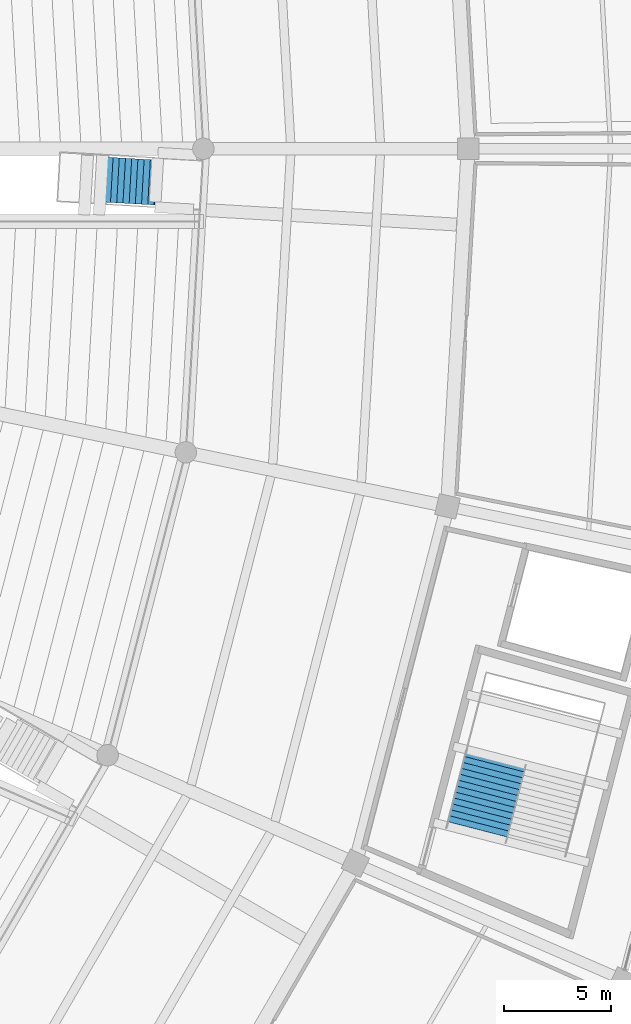
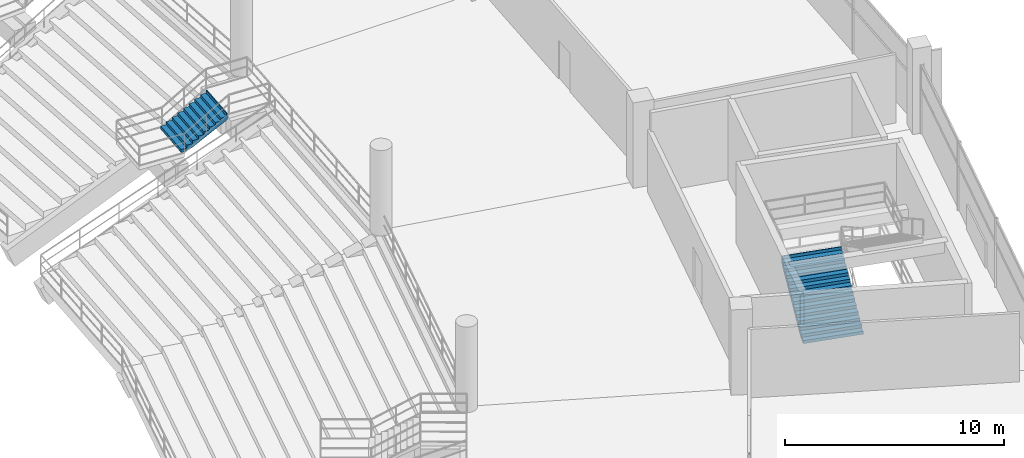
# One storey, part 128 of 156: 2 stair flights, 2 elements without a shape of their own.
"""IFC4 building model written with IfcOpenShell, lengths in metres."""

from ifc_helpers import new_model, si_unit, direction, frame, origin, place, context, subcontext, project, spatial, polygons, material, type_object, element, aggregate, save


model = new_model("IFC4")

# Units and contexts
model_context = context("Model", 3, precision=1e-05, world=origin(), true_north=direction((0.0, 1.0)))
body_context = subcontext(model_context, "Body", "Model", "MODEL_VIEW")
ifc_project = project(units=[si_unit("LENGTHUNIT", "METRE"), si_unit("AREAUNIT", "SQUARE_METRE"), si_unit("VOLUMEUNIT", "CUBIC_METRE"), si_unit("PLANEANGLEUNIT", "RADIAN"), si_unit("MASSUNIT", "GRAM", prefix="KILO")], contexts=[model_context])

# Site, building, storey
site_placement = place(None, origin())
site = spatial("IfcSite", under=ifc_project, at=site_placement, CompositionType="ELEMENT")
building_placement = place(site_placement, origin())
building = spatial("IfcBuilding", under=site, at=building_placement, Name="Kazemori Nagisa Stadium", CompositionType="ELEMENT")
storey_placement = place(building_placement, frame((0.0, 0.0, 5.780029296875)))
storey = spatial("IfcBuildingStorey", under=building, at=storey_placement, Name="L01", CompositionType="ELEMENT", Elevation=5.780029296875)

# Stair, stair flight
ifc_material = material(Name="Concrete C36/45 (Fc36)", Category="concrete")
stair_type_1 = type_object("IfcStairType", Name="Stair_CORE_28", PredefinedType="TWO_STRAIGHT_RUN_STAIR", material=ifc_material)
stair_1_placement = place(storey_placement, origin())
stair_1 = element("IfcStair", 1, at=stair_1_placement, inside=storey, type_object=stair_type_1, Name="Exit stair ST10 L01", PredefinedType="TWO_STRAIGHT_RUN_STAIR")
stair_flight_type_1 = type_object("IfcStairFlightType", Name="Flight_CORE_14", PredefinedType="STRAIGHT", material=ifc_material)
stair_flight_1_placement = place(storey_placement, frame((205.068359375, 69.982666015625, 0.0), z_axis=(0.0, 0.0, 1.0), x_axis=(0.250001576145, 0.968245429592, 0.0)))
stair_flight_1 = element("IfcStairFlight", 2, at=stair_flight_1_placement, type_object=stair_flight_type_1, Name="Exit stair ST10 L01 flight 1", NumberOfRisers=14, NumberOfTreads=13, PredefinedType="STRAIGHT", RiserHeight=0.17, TreadLength=0.285, context=body_context, shape_type="Tessellation", body=[
    polygons([(0.0, -1.425048828125, 0.0), (0.0, -1.425048828125, 0.169921875), (0.284912109375, -1.425048828125, 0.169921875), (0.284912109375, -1.425048828125, 0.340087890625), (0.570068359375, -1.425048828125, 0.340087890625), (0.570068359375, -1.425048828125, 0.510009765625), (0.85498046875, -1.425048828125, 0.510009765625), (0.85498046875, -1.425048828125, 0.679931640625), (1.139892578125, -1.425048828125, 0.679931640625), (1.139892578125, -1.425048828125, 0.85009765625), (1.425048828125, -1.425048828125, 0.85009765625), (1.425048828125, -1.425048828125, 1.02001953125), (1.7099609375, -1.425048828125, 1.02001953125), (1.7099609375, -1.425048828125, 1.18994140625), (1.9951171875, -1.425048828125, 1.18994140625), (1.9951171875, -1.425048828125, 1.360107421875), (2.280029296875, -1.425048828125, 1.360107421875), (2.280029296875, -1.425048828125, 1.530029296875), (2.56494140625, -1.425048828125, 1.530029296875), (2.56494140625, -1.425048828125, 1.699951171875), (2.85009765625, -1.425048828125, 1.699951171875), (2.85009765625, -1.425048828125, 1.8701171875), (3.135009765625, -1.425048828125, 1.8701171875), (3.135009765625, -1.425048828125, 2.0400390625), (3.419921875, -1.425048828125, 2.0400390625), (3.419921875, -1.425048828125, 2.2099609375), (3.705078125, -1.425048828125, 2.2099609375), (3.705078125, -1.425048828125, 2.3798828125), (3.7548828125, -1.425048828125, 2.3798828125), (3.7548828125, -1.425048828125, 2.007080078125), (3.705078125, -1.425048828125, 1.977294921875), (3.419921875, -1.425048828125, 1.80712890625), (3.135009765625, -1.425048828125, 1.63720703125), (2.85009765625, -1.425048828125, 1.46728515625), (2.56494140625, -1.425048828125, 1.297119140625), (2.280029296875, -1.425048828125, 1.127197265625), (1.9951171875, -1.425048828125, 0.957275390625), (1.7099609375, -1.425048828125, 0.787109375), (1.425048828125, -1.425048828125, 0.6171875), (1.139892578125, -1.425048828125, 0.447265625), (0.85498046875, -1.425048828125, 0.277099609375), (0.570068359375, -1.425048828125, 0.107177734375), (0.284912109375, -1.425048828125, 0.0), (0.0, -0.08544921875, 0.0), (0.0, -0.08544921875, 0.169921875), (0.284912109375, -0.08544921875, 0.169921875), (0.284912109375, -0.08544921875, 0.340087890625), (0.570068359375, -0.08544921875, 0.340087890625), (0.570068359375, -0.08544921875, 0.510009765625), (0.85498046875, -0.08544921875, 0.510009765625), (0.85498046875, -0.08544921875, 0.679931640625), (1.139892578125, -0.08544921875, 0.679931640625), (1.139892578125, -0.08544921875, 0.85009765625), (1.425048828125, -0.08544921875, 0.85009765625), (1.425048828125, -0.08544921875, 1.02001953125), (1.7099609375, -0.08544921875, 1.02001953125), (1.7099609375, -0.08544921875, 1.18994140625), (1.9951171875, -0.08544921875, 1.18994140625), (1.9951171875, -0.08544921875, 1.360107421875), (2.280029296875, -0.08544921875, 1.360107421875), (2.280029296875, -0.08544921875, 1.530029296875), (2.56494140625, -0.08544921875, 1.530029296875), (2.56494140625, -0.08544921875, 1.699951171875), (2.85009765625, -0.08544921875, 1.699951171875), (2.85009765625, -0.08544921875, 1.8701171875), (3.135009765625, -0.08544921875, 1.8701171875), (3.135009765625, -0.08544921875, 2.0400390625), (3.419921875, -0.08544921875, 2.0400390625), (3.419921875, -0.08544921875, 2.2099609375), (3.705078125, -0.08544921875, 2.2099609375), (3.705078125, -0.08544921875, 2.3798828125), (3.7548828125, -0.08544921875, 2.3798828125), (3.7548828125, -0.08544921875, 2.007080078125), (3.705078125, -0.08544921875, 1.977294921875), (3.419921875, -0.08544921875, 1.80712890625), (3.135009765625, -0.08544921875, 1.63720703125), (2.85009765625, -0.08544921875, 1.46728515625), (2.56494140625, -0.08544921875, 1.297119140625), (2.280029296875, -0.08544921875, 1.127197265625), (1.9951171875, -0.08544921875, 0.957275390625), (1.7099609375, -0.08544921875, 0.787109375), (1.425048828125, -0.08544921875, 0.6171875), (1.139892578125, -0.08544921875, 0.447265625), (0.85498046875, -0.08544921875, 0.277099609375), (0.570068359375, -0.08544921875, 0.107177734375), (0.284912109375, -0.08544921875, 0.0), (0.0, 0.0, 0.0), (0.0, 0.0, 0.169921875), (0.284912109375, 0.0, 0.169921875), (0.284912109375, 0.0, 0.340087890625), (0.570068359375, 0.0, 0.340087890625), (0.570068359375, 0.0, 0.510009765625), (0.85498046875, 0.0, 0.510009765625), (0.85498046875, 0.0, 0.679931640625), (1.139892578125, 0.0, 0.679931640625), (1.139892578125, 0.0, 0.85009765625), (1.425048828125, 0.0, 0.85009765625), (1.425048828125, 0.0, 1.02001953125), (1.7099609375, 0.0, 1.02001953125), (1.7099609375, 0.0, 1.18994140625), (1.9951171875, 0.0, 1.18994140625), (1.9951171875, 0.0, 1.360107421875), (2.280029296875, 0.0, 1.360107421875), (2.280029296875, 0.0, 1.530029296875), (2.56494140625, 0.0, 1.530029296875), (2.56494140625, 0.0, 1.699951171875), (2.85009765625, 0.0, 1.699951171875), (2.85009765625, 0.0, 1.8701171875), (3.135009765625, 0.0, 1.8701171875), (3.135009765625, 0.0, 2.0400390625), (3.419921875, 0.0, 2.0400390625), (3.419921875, 0.0, 2.2099609375), (3.705078125, 0.0, 2.2099609375), (3.705078125, 0.0, 2.3798828125), (3.7548828125, 0.0, 2.3798828125), (3.7548828125, 0.0, 2.007080078125), (3.705078125, 0.0, 1.977294921875), (3.419921875, 0.0, 1.80712890625), (3.135009765625, 0.0, 1.63720703125), (2.85009765625, 0.0, 1.46728515625), (2.56494140625, 0.0, 1.297119140625), (2.280029296875, 0.0, 1.127197265625), (1.9951171875, 0.0, 0.957275390625), (1.7099609375, 0.0, 0.787109375), (1.425048828125, 0.0, 0.6171875), (1.139892578125, 0.0, 0.447265625), (0.85498046875, 0.0, 0.277099609375), (0.570068359375, 0.0, 0.107177734375), (0.284912109375, 0.0, 0.0), (0.0, 0.08544921875, 0.0), (0.0, 0.08544921875, 0.169921875), (0.284912109375, 0.08544921875, 0.169921875), (0.284912109375, 0.08544921875, 0.340087890625), (0.570068359375, 0.08544921875, 0.340087890625), (0.570068359375, 0.08544921875, 0.510009765625), (0.85498046875, 0.08544921875, 0.510009765625), (0.85498046875, 0.08544921875, 0.679931640625), (1.139892578125, 0.08544921875, 0.679931640625), (1.139892578125, 0.08544921875, 0.85009765625), (1.425048828125, 0.08544921875, 0.85009765625), (1.425048828125, 0.08544921875, 1.02001953125), (1.7099609375, 0.08544921875, 1.02001953125), (1.7099609375, 0.08544921875, 1.18994140625), (1.9951171875, 0.08544921875, 1.18994140625), (1.9951171875, 0.08544921875, 1.360107421875), (2.280029296875, 0.08544921875, 1.360107421875), (2.280029296875, 0.08544921875, 1.530029296875), (2.56494140625, 0.08544921875, 1.530029296875), (2.56494140625, 0.08544921875, 1.699951171875), (2.85009765625, 0.08544921875, 1.699951171875), (2.85009765625, 0.08544921875, 1.8701171875), (3.135009765625, 0.08544921875, 1.8701171875), (3.135009765625, 0.08544921875, 2.0400390625), (3.419921875, 0.08544921875, 2.0400390625), (3.419921875, 0.08544921875, 2.2099609375), (3.705078125, 0.08544921875, 2.2099609375), (3.705078125, 0.08544921875, 2.3798828125), (3.7548828125, 0.08544921875, 2.3798828125), (3.7548828125, 0.08544921875, 2.007080078125), (3.705078125, 0.08544921875, 1.977294921875), (3.419921875, 0.08544921875, 1.80712890625), (3.135009765625, 0.08544921875, 1.63720703125), (2.85009765625, 0.08544921875, 1.46728515625), (2.56494140625, 0.08544921875, 1.297119140625), (2.280029296875, 0.08544921875, 1.127197265625), (1.9951171875, 0.08544921875, 0.957275390625), (1.7099609375, 0.08544921875, 0.787109375), (1.425048828125, 0.08544921875, 0.6171875), (1.139892578125, 0.08544921875, 0.447265625), (0.85498046875, 0.08544921875, 0.277099609375), (0.570068359375, 0.08544921875, 0.107177734375), (0.284912109375, 0.08544921875, 0.0), (0.0, 1.425048828125, 0.0), (0.0, 1.425048828125, 0.169921875), (0.284912109375, 1.425048828125, 0.169921875), (0.284912109375, 1.425048828125, 0.340087890625), (0.570068359375, 1.425048828125, 0.340087890625), (0.570068359375, 1.425048828125, 0.510009765625), (0.85498046875, 1.425048828125, 0.510009765625), (0.85498046875, 1.425048828125, 0.679931640625), (1.139892578125, 1.425048828125, 0.679931640625), (1.139892578125, 1.425048828125, 0.85009765625), (1.425048828125, 1.425048828125, 0.85009765625), (1.425048828125, 1.425048828125, 1.02001953125), (1.7099609375, 1.425048828125, 1.02001953125), (1.7099609375, 1.425048828125, 1.18994140625), (1.9951171875, 1.425048828125, 1.18994140625), (1.9951171875, 1.425048828125, 1.360107421875), (2.280029296875, 1.425048828125, 1.360107421875), (2.280029296875, 1.425048828125, 1.530029296875), (2.56494140625, 1.425048828125, 1.530029296875), (2.56494140625, 1.425048828125, 1.699951171875), (2.85009765625, 1.425048828125, 1.699951171875), (2.85009765625, 1.425048828125, 1.8701171875), (3.135009765625, 1.425048828125, 1.8701171875), (3.135009765625, 1.425048828125, 2.0400390625), (3.419921875, 1.425048828125, 2.0400390625), (3.419921875, 1.425048828125, 2.2099609375), (3.705078125, 1.425048828125, 2.2099609375), (3.705078125, 1.425048828125, 2.3798828125), (3.7548828125, 1.425048828125, 2.3798828125), (3.7548828125, 1.425048828125, 2.007080078125), (3.705078125, 1.425048828125, 1.977294921875), (3.419921875, 1.425048828125, 1.80712890625), (3.135009765625, 1.425048828125, 1.63720703125), (2.85009765625, 1.425048828125, 1.46728515625), (2.56494140625, 1.425048828125, 1.297119140625), (2.280029296875, 1.425048828125, 1.127197265625), (1.9951171875, 1.425048828125, 0.957275390625), (1.7099609375, 1.425048828125, 0.787109375), (1.425048828125, 1.425048828125, 0.6171875), (1.139892578125, 1.425048828125, 0.447265625), (0.85498046875, 1.425048828125, 0.277099609375), (0.570068359375, 1.425048828125, 0.107177734375), (0.284912109375, 1.425048828125, 0.0)], [[[1, 2, 45]], [[1, 45, 44]], [[2, 3, 46]], [[2, 46, 45]], [[3, 4, 47]], [[3, 47, 46]], [[4, 5, 48]], [[4, 48, 47]], [[5, 6, 49]], [[5, 49, 48]], [[6, 7, 50]], [[6, 50, 49]], [[7, 8, 51]], [[7, 51, 50]], [[8, 9, 52]], [[8, 52, 51]], [[9, 10, 53]], [[9, 53, 52]], [[10, 11, 54]], [[10, 54, 53]], [[11, 12, 55]], [[11, 55, 54]], [[12, 13, 56]], [[12, 56, 55]], [[13, 14, 57]], [[13, 57, 56]], [[14, 15, 58]], [[14, 58, 57]], [[15, 16, 59]], [[15, 59, 58]], [[16, 17, 60]], [[16, 60, 59]], [[17, 18, 61]], [[17, 61, 60]], [[18, 19, 62]], [[18, 62, 61]], [[19, 20, 63]], [[19, 63, 62]], [[20, 21, 64]], [[20, 64, 63]], [[21, 22, 65]], [[21, 65, 64]], [[22, 23, 66]], [[22, 66, 65]], [[23, 24, 67]], [[23, 67, 66]], [[24, 25, 68]], [[24, 68, 67]], [[25, 26, 69]], [[25, 69, 68]], [[26, 27, 70]], [[26, 70, 69]], [[27, 28, 71]], [[27, 71, 70]], [[28, 29, 72]], [[28, 72, 71]], [[29, 30, 73]], [[29, 73, 72]], [[30, 31, 74]], [[30, 74, 73]], [[31, 32, 75]], [[31, 75, 74]], [[32, 33, 76]], [[32, 76, 75]], [[33, 34, 77]], [[33, 77, 76]], [[34, 35, 78]], [[34, 78, 77]], [[35, 36, 79]], [[35, 79, 78]], [[36, 37, 80]], [[36, 80, 79]], [[37, 38, 81]], [[37, 81, 80]], [[38, 39, 82]], [[38, 82, 81]], [[39, 40, 83]], [[39, 83, 82]], [[40, 41, 84]], [[40, 84, 83]], [[41, 42, 85]], [[41, 85, 84]], [[42, 43, 86]], [[42, 86, 85]], [[43, 1, 44]], [[43, 44, 86]], [[44, 45, 88]], [[44, 88, 87]], [[45, 46, 89]], [[45, 89, 88]], [[46, 47, 90]], [[46, 90, 89]], [[47, 48, 91]], [[47, 91, 90]], [[48, 49, 92]], [[48, 92, 91]], [[49, 50, 93]], [[49, 93, 92]], [[50, 51, 94]], [[50, 94, 93]], [[51, 52, 95]], [[51, 95, 94]], [[52, 53, 96]], [[52, 96, 95]], [[53, 54, 97]], [[53, 97, 96]], [[54, 55, 98]], [[54, 98, 97]], [[55, 56, 99]], [[55, 99, 98]], [[56, 57, 100]], [[56, 100, 99]], [[57, 58, 101]], [[57, 101, 100]], [[58, 59, 102]], [[58, 102, 101]], [[59, 60, 103]], [[59, 103, 102]], [[60, 61, 104]], [[60, 104, 103]], [[61, 62, 105]], [[61, 105, 104]], [[62, 63, 106]], [[62, 106, 105]], [[63, 64, 107]], [[63, 107, 106]], [[64, 65, 108]], [[64, 108, 107]], [[65, 66, 109]], [[65, 109, 108]], [[66, 67, 110]], [[66, 110, 109]], [[67, 68, 111]], [[67, 111, 110]], [[68, 69, 112]], [[68, 112, 111]], [[69, 70, 113]], [[69, 113, 112]], [[70, 71, 114]], [[70, 114, 113]], [[71, 72, 115]], [[71, 115, 114]], [[72, 73, 116]], [[72, 116, 115]], [[73, 74, 117]], [[73, 117, 116]], [[74, 75, 118]], [[74, 118, 117]], [[75, 76, 119]], [[75, 119, 118]], [[76, 77, 120]], [[76, 120, 119]], [[77, 78, 121]], [[77, 121, 120]], [[78, 79, 122]], [[78, 122, 121]], [[79, 80, 123]], [[79, 123, 122]], [[80, 81, 124]], [[80, 124, 123]], [[81, 82, 125]], [[81, 125, 124]], [[82, 83, 126]], [[82, 126, 125]], [[83, 84, 127]], [[83, 127, 126]], [[84, 85, 128]], [[84, 128, 127]], [[85, 86, 129]], [[85, 129, 128]], [[86, 44, 87]], [[86, 87, 129]], [[87, 88, 131]], [[87, 131, 130]], [[88, 89, 132]], [[88, 132, 131]], [[89, 90, 133]], [[89, 133, 132]], [[90, 91, 134]], [[90, 134, 133]], [[91, 92, 135]], [[91, 135, 134]], [[92, 93, 136]], [[92, 136, 135]], [[93, 94, 137]], [[93, 137, 136]], [[94, 95, 138]], [[94, 138, 137]], [[95, 96, 139]], [[95, 139, 138]], [[96, 97, 140]], [[96, 140, 139]], [[97, 98, 141]], [[97, 141, 140]], [[98, 99, 142]], [[98, 142, 141]], [[99, 100, 143]], [[99, 143, 142]], [[100, 101, 144]], [[100, 144, 143]], [[101, 102, 145]], [[101, 145, 144]], [[102, 103, 146]], [[102, 146, 145]], [[103, 104, 147]], [[103, 147, 146]], [[104, 105, 148]], [[104, 148, 147]], [[105, 106, 149]], [[105, 149, 148]], [[106, 107, 150]], [[106, 150, 149]], [[107, 108, 151]], [[107, 151, 150]], [[108, 109, 152]], [[108, 152, 151]], [[109, 110, 153]], [[109, 153, 152]], [[110, 111, 154]], [[110, 154, 153]], [[111, 112, 155]], [[111, 155, 154]], [[112, 113, 156]], [[112, 156, 155]], [[113, 114, 157]], [[113, 157, 156]], [[114, 115, 158]], [[114, 158, 157]], [[115, 116, 159]], [[115, 159, 158]], [[116, 117, 160]], [[116, 160, 159]], [[117, 118, 161]], [[117, 161, 160]], [[118, 119, 162]], [[118, 162, 161]], [[119, 120, 163]], [[119, 163, 162]], [[120, 121, 164]], [[120, 164, 163]], [[121, 122, 165]], [[121, 165, 164]], [[122, 123, 166]], [[122, 166, 165]], [[123, 124, 167]], [[123, 167, 166]], [[124, 125, 168]], [[124, 168, 167]], [[125, 126, 169]], [[125, 169, 168]], [[126, 127, 170]], [[126, 170, 169]], [[127, 128, 171]], [[127, 171, 170]], [[128, 129, 172]], [[128, 172, 171]], [[129, 87, 130]], [[129, 130, 172]], [[130, 131, 174]], [[130, 174, 173]], [[131, 132, 175]], [[131, 175, 174]], [[132, 133, 176]], [[132, 176, 175]], [[133, 134, 177]], [[133, 177, 176]], [[134, 135, 178]], [[134, 178, 177]], [[135, 136, 179]], [[135, 179, 178]], [[136, 137, 180]], [[136, 180, 179]], [[137, 138, 181]], [[137, 181, 180]], [[138, 139, 182]], [[138, 182, 181]], [[139, 140, 183]], [[139, 183, 182]], [[140, 141, 184]], [[140, 184, 183]], [[141, 142, 185]], [[141, 185, 184]], [[142, 143, 186]], [[142, 186, 185]], [[143, 144, 187]], [[143, 187, 186]], [[144, 145, 188]], [[144, 188, 187]], [[145, 146, 189]], [[145, 189, 188]], [[146, 147, 190]], [[146, 190, 189]], [[147, 148, 191]], [[147, 191, 190]], [[148, 149, 192]], [[148, 192, 191]], [[149, 150, 193]], [[149, 193, 192]], [[150, 151, 194]], [[150, 194, 193]], [[151, 152, 195]], [[151, 195, 194]], [[152, 153, 196]], [[152, 196, 195]], [[153, 154, 197]], [[153, 197, 196]], [[154, 155, 198]], [[154, 198, 197]], [[155, 156, 199]], [[155, 199, 198]], [[156, 157, 200]], [[156, 200, 199]], [[157, 158, 201]], [[157, 201, 200]], [[158, 159, 202]], [[158, 202, 201]], [[159, 160, 203]], [[159, 203, 202]], [[160, 161, 204]], [[160, 204, 203]], [[161, 162, 205]], [[161, 205, 204]], [[162, 163, 206]], [[162, 206, 205]], [[163, 164, 207]], [[163, 207, 206]], [[164, 165, 208]], [[164, 208, 207]], [[165, 166, 209]], [[165, 209, 208]], [[166, 167, 210]], [[166, 210, 209]], [[167, 168, 211]], [[167, 211, 210]], [[168, 169, 212]], [[168, 212, 211]], [[169, 170, 213]], [[169, 213, 212]], [[170, 171, 214]], [[170, 214, 213]], [[171, 172, 215]], [[171, 215, 214]], [[172, 130, 173]], [[172, 173, 215]], [[3, 2, 1]], [[173, 174, 175]], [[43, 3, 1]], [[173, 175, 215]], [[42, 3, 43]], [[215, 175, 214]], [[5, 3, 42]], [[214, 175, 177]], [[5, 4, 3]], [[175, 176, 177]], [[41, 5, 42]], [[214, 177, 213]], [[7, 5, 41]], [[213, 177, 179]], [[7, 6, 5]], [[177, 178, 179]], [[40, 7, 41]], [[213, 179, 212]], [[9, 7, 40]], [[212, 179, 181]], [[9, 8, 7]], [[179, 180, 181]], [[39, 9, 40]], [[212, 181, 211]], [[11, 9, 39]], [[211, 181, 183]], [[11, 10, 9]], [[181, 182, 183]], [[38, 11, 39]], [[211, 183, 210]], [[13, 11, 38]], [[210, 183, 185]], [[13, 12, 11]], [[183, 184, 185]], [[37, 13, 38]], [[210, 185, 209]], [[15, 13, 37]], [[209, 185, 187]], [[15, 14, 13]], [[185, 186, 187]], [[36, 15, 37]], [[209, 187, 208]], [[17, 15, 36]], [[208, 187, 189]], [[17, 16, 15]], [[187, 188, 189]], [[35, 17, 36]], [[208, 189, 207]], [[19, 17, 35]], [[207, 189, 191]], [[19, 18, 17]], [[189, 190, 191]], [[34, 19, 35]], [[207, 191, 206]], [[21, 19, 34]], [[206, 191, 193]], [[21, 20, 19]], [[191, 192, 193]], [[33, 21, 34]], [[206, 193, 205]], [[23, 21, 33]], [[205, 193, 195]], [[23, 22, 21]], [[193, 194, 195]], [[32, 23, 33]], [[205, 195, 204]], [[25, 23, 32]], [[204, 195, 197]], [[25, 24, 23]], [[195, 196, 197]], [[31, 25, 32]], [[204, 197, 203]], [[27, 25, 31]], [[203, 197, 199]], [[27, 26, 25]], [[197, 198, 199]], [[30, 27, 31]], [[203, 199, 202]], [[29, 27, 30]], [[202, 199, 201]], [[29, 28, 27]], [[199, 200, 201]]], closed=True),
])
aggregate(stair_1, [stair_flight_1])

stair_type_2 = type_object("IfcStairType", Name="Stair_VOM_VL", PredefinedType="STRAIGHT_RUN_STAIR", material=ifc_material)
stair_2_placement = place(storey_placement, origin())
stair_2 = element("IfcStair", 3, at=stair_2_placement, inside=storey, type_object=stair_type_2, Name="Vomitory stair lower VL12", PredefinedType="STRAIGHT_RUN_STAIR")
stair_flight_type_2 = type_object("IfcStairFlightType", Name="Flight_VOM_VL", PredefinedType="STRAIGHT", material=ifc_material)
stair_flight_2_placement = place(storey_placement, frame((187.78955078125, 100.560302734375, -1.43994140625), z_axis=(0.0, 0.0, 1.0), x_axis=(0.998341919289, -0.057562246216, 0.0)))
stair_flight_2 = element("IfcStairFlight", 4, at=stair_flight_2_placement, type_object=stair_flight_type_2, Name="Vomitory stair lower VL12 flight", NumberOfRisers=9, NumberOfTreads=8, PredefinedType="STRAIGHT", RiserHeight=0.16, TreadLength=0.29, context=body_context, shape_type="Tessellation", body=[
    polygons([(0.0, -1.050048828125, 0.0), (0.0, -1.050048828125, 0.159912109375), (0.2900390625, -1.050048828125, 0.159912109375), (0.2900390625, -1.050048828125, 0.320068359375), (0.580078125, -1.050048828125, 0.320068359375), (0.580078125, -1.050048828125, 0.47998046875), (0.8701171875, -1.050048828125, 0.47998046875), (0.8701171875, -1.050048828125, 0.639892578125), (1.159912109375, -1.050048828125, 0.639892578125), (1.159912109375, -1.050048828125, 0.800048828125), (1.449951171875, -1.050048828125, 0.800048828125), (1.449951171875, -1.050048828125, 0.9599609375), (1.739990234375, -1.050048828125, 0.9599609375), (1.739990234375, -1.050048828125, 1.1201171875), (2.030029296875, -1.050048828125, 1.1201171875), (2.030029296875, -1.050048828125, 1.280029296875), (2.320068359375, -1.050048828125, 1.280029296875), (2.320068359375, -1.050048828125, 1.43994140625), (2.3701171875, -1.050048828125, 1.43994140625), (2.3701171875, -1.050048828125, 1.10205078125), (2.320068359375, -1.050048828125, 1.074462890625), (2.030029296875, -1.050048828125, 0.91455078125), (1.739990234375, -1.050048828125, 0.75439453125), (1.449951171875, -1.050048828125, 0.594482421875), (1.159912109375, -1.050048828125, 0.4345703125), (0.8701171875, -1.050048828125, 0.2744140625), (0.580078125, -1.050048828125, 0.114501953125), (0.2900390625, -1.050048828125, 0.0), (0.0, -0.06298828125, 0.0), (0.0, -0.06298828125, 0.159912109375), (0.2900390625, -0.06298828125, 0.159912109375), (0.2900390625, -0.06298828125, 0.320068359375), (0.580078125, -0.06298828125, 0.320068359375), (0.580078125, -0.06298828125, 0.47998046875), (0.8701171875, -0.06298828125, 0.47998046875), (0.8701171875, -0.06298828125, 0.639892578125), (1.159912109375, -0.06298828125, 0.639892578125), (1.159912109375, -0.06298828125, 0.800048828125), (1.449951171875, -0.06298828125, 0.800048828125), (1.449951171875, -0.06298828125, 0.9599609375), (1.739990234375, -0.06298828125, 0.9599609375), (1.739990234375, -0.06298828125, 1.1201171875), (2.030029296875, -0.06298828125, 1.1201171875), (2.030029296875, -0.06298828125, 1.280029296875), (2.320068359375, -0.06298828125, 1.280029296875), (2.320068359375, -0.06298828125, 1.43994140625), (2.3701171875, -0.06298828125, 1.43994140625), (2.3701171875, -0.06298828125, 1.10205078125), (2.320068359375, -0.06298828125, 1.074462890625), (2.030029296875, -0.06298828125, 0.91455078125), (1.739990234375, -0.06298828125, 0.75439453125), (1.449951171875, -0.06298828125, 0.594482421875), (1.159912109375, -0.06298828125, 0.4345703125), (0.8701171875, -0.06298828125, 0.2744140625), (0.580078125, -0.06298828125, 0.114501953125), (0.2900390625, -0.06298828125, 0.0), (0.0, 0.0, 0.0), (0.0, 0.0, 0.159912109375), (0.2900390625, 0.0, 0.159912109375), (0.2900390625, 0.0, 0.320068359375), (0.580078125, 0.0, 0.320068359375), (0.580078125, 0.0, 0.47998046875), (0.8701171875, 0.0, 0.47998046875), (0.8701171875, 0.0, 0.639892578125), (1.159912109375, 0.0, 0.639892578125), (1.159912109375, 0.0, 0.800048828125), (1.449951171875, 0.0, 0.800048828125), (1.449951171875, 0.0, 0.9599609375), (1.739990234375, 0.0, 0.9599609375), (1.739990234375, 0.0, 1.1201171875), (2.030029296875, 0.0, 1.1201171875), (2.030029296875, 0.0, 1.280029296875), (2.320068359375, 0.0, 1.280029296875), (2.320068359375, 0.0, 1.43994140625), (2.3701171875, 0.0, 1.43994140625), (2.3701171875, 0.0, 1.10205078125), (2.320068359375, 0.0, 1.074462890625), (2.030029296875, 0.0, 0.91455078125), (1.739990234375, 0.0, 0.75439453125), (1.449951171875, 0.0, 0.594482421875), (1.159912109375, 0.0, 0.4345703125), (0.8701171875, 0.0, 0.2744140625), (0.580078125, 0.0, 0.114501953125), (0.2900390625, 0.0, 0.0), (0.0, 0.06298828125, 0.0), (0.0, 0.06298828125, 0.159912109375), (0.2900390625, 0.06298828125, 0.159912109375), (0.2900390625, 0.06298828125, 0.320068359375), (0.580078125, 0.06298828125, 0.320068359375), (0.580078125, 0.06298828125, 0.47998046875), (0.8701171875, 0.06298828125, 0.47998046875), (0.8701171875, 0.06298828125, 0.639892578125), (1.159912109375, 0.06298828125, 0.639892578125), (1.159912109375, 0.06298828125, 0.800048828125), (1.449951171875, 0.06298828125, 0.800048828125), (1.449951171875, 0.06298828125, 0.9599609375), (1.739990234375, 0.06298828125, 0.9599609375), (1.739990234375, 0.06298828125, 1.1201171875), (2.030029296875, 0.06298828125, 1.1201171875), (2.030029296875, 0.06298828125, 1.280029296875), (2.320068359375, 0.06298828125, 1.280029296875), (2.320068359375, 0.06298828125, 1.43994140625), (2.3701171875, 0.06298828125, 1.43994140625), (2.3701171875, 0.06298828125, 1.10205078125), (2.320068359375, 0.06298828125, 1.074462890625), (2.030029296875, 0.06298828125, 0.91455078125), (1.739990234375, 0.06298828125, 0.75439453125), (1.449951171875, 0.06298828125, 0.594482421875), (1.159912109375, 0.06298828125, 0.4345703125), (0.8701171875, 0.06298828125, 0.2744140625), (0.580078125, 0.06298828125, 0.114501953125), (0.2900390625, 0.06298828125, 0.0), (0.0, 1.050048828125, 0.0), (0.0, 1.050048828125, 0.159912109375), (0.2900390625, 1.050048828125, 0.159912109375), (0.2900390625, 1.050048828125, 0.320068359375), (0.580078125, 1.050048828125, 0.320068359375), (0.580078125, 1.050048828125, 0.47998046875), (0.8701171875, 1.050048828125, 0.47998046875), (0.8701171875, 1.050048828125, 0.639892578125), (1.159912109375, 1.050048828125, 0.639892578125), (1.159912109375, 1.050048828125, 0.800048828125), (1.449951171875, 1.050048828125, 0.800048828125), (1.449951171875, 1.050048828125, 0.9599609375), (1.739990234375, 1.050048828125, 0.9599609375), (1.739990234375, 1.050048828125, 1.1201171875), (2.030029296875, 1.050048828125, 1.1201171875), (2.030029296875, 1.050048828125, 1.280029296875), (2.320068359375, 1.050048828125, 1.280029296875), (2.320068359375, 1.050048828125, 1.43994140625), (2.3701171875, 1.050048828125, 1.43994140625), (2.3701171875, 1.050048828125, 1.10205078125), (2.320068359375, 1.050048828125, 1.074462890625), (2.030029296875, 1.050048828125, 0.91455078125), (1.739990234375, 1.050048828125, 0.75439453125), (1.449951171875, 1.050048828125, 0.594482421875), (1.159912109375, 1.050048828125, 0.4345703125), (0.8701171875, 1.050048828125, 0.2744140625), (0.580078125, 1.050048828125, 0.114501953125), (0.2900390625, 1.050048828125, 0.0)], [[[1, 2, 30]], [[1, 30, 29]], [[2, 3, 31]], [[2, 31, 30]], [[3, 4, 32]], [[3, 32, 31]], [[4, 5, 33]], [[4, 33, 32]], [[5, 6, 34]], [[5, 34, 33]], [[6, 7, 35]], [[6, 35, 34]], [[7, 8, 36]], [[7, 36, 35]], [[8, 9, 37]], [[8, 37, 36]], [[9, 10, 38]], [[9, 38, 37]], [[10, 11, 39]], [[10, 39, 38]], [[11, 12, 40]], [[11, 40, 39]], [[12, 13, 41]], [[12, 41, 40]], [[13, 14, 42]], [[13, 42, 41]], [[14, 15, 43]], [[14, 43, 42]], [[15, 16, 44]], [[15, 44, 43]], [[16, 17, 45]], [[16, 45, 44]], [[17, 18, 46]], [[17, 46, 45]], [[18, 19, 47]], [[18, 47, 46]], [[19, 20, 48]], [[19, 48, 47]], [[20, 21, 49]], [[20, 49, 48]], [[21, 22, 50]], [[21, 50, 49]], [[22, 23, 51]], [[22, 51, 50]], [[23, 24, 52]], [[23, 52, 51]], [[24, 25, 53]], [[24, 53, 52]], [[25, 26, 54]], [[25, 54, 53]], [[26, 27, 55]], [[26, 55, 54]], [[27, 28, 56]], [[27, 56, 55]], [[28, 1, 29]], [[28, 29, 56]], [[29, 30, 58]], [[29, 58, 57]], [[30, 31, 59]], [[30, 59, 58]], [[31, 32, 60]], [[31, 60, 59]], [[32, 33, 61]], [[32, 61, 60]], [[33, 34, 62]], [[33, 62, 61]], [[34, 35, 63]], [[34, 63, 62]], [[35, 36, 64]], [[35, 64, 63]], [[36, 37, 65]], [[36, 65, 64]], [[37, 38, 66]], [[37, 66, 65]], [[38, 39, 67]], [[38, 67, 66]], [[39, 40, 68]], [[39, 68, 67]], [[40, 41, 69]], [[40, 69, 68]], [[41, 42, 70]], [[41, 70, 69]], [[42, 43, 71]], [[42, 71, 70]], [[43, 44, 72]], [[43, 72, 71]], [[44, 45, 73]], [[44, 73, 72]], [[45, 46, 74]], [[45, 74, 73]], [[46, 47, 75]], [[46, 75, 74]], [[47, 48, 76]], [[47, 76, 75]], [[48, 49, 77]], [[48, 77, 76]], [[49, 50, 78]], [[49, 78, 77]], [[50, 51, 79]], [[50, 79, 78]], [[51, 52, 80]], [[51, 80, 79]], [[52, 53, 81]], [[52, 81, 80]], [[53, 54, 82]], [[53, 82, 81]], [[54, 55, 83]], [[54, 83, 82]], [[55, 56, 84]], [[55, 84, 83]], [[56, 29, 57]], [[56, 57, 84]], [[57, 58, 86]], [[57, 86, 85]], [[58, 59, 87]], [[58, 87, 86]], [[59, 60, 88]], [[59, 88, 87]], [[60, 61, 89]], [[60, 89, 88]], [[61, 62, 90]], [[61, 90, 89]], [[62, 63, 91]], [[62, 91, 90]], [[63, 64, 92]], [[63, 92, 91]], [[64, 65, 93]], [[64, 93, 92]], [[65, 66, 94]], [[65, 94, 93]], [[66, 67, 95]], [[66, 95, 94]], [[67, 68, 96]], [[67, 96, 95]], [[68, 69, 97]], [[68, 97, 96]], [[69, 70, 98]], [[69, 98, 97]], [[70, 71, 99]], [[70, 99, 98]], [[71, 72, 100]], [[71, 100, 99]], [[72, 73, 101]], [[72, 101, 100]], [[73, 74, 102]], [[73, 102, 101]], [[74, 75, 103]], [[74, 103, 102]], [[75, 76, 104]], [[75, 104, 103]], [[76, 77, 105]], [[76, 105, 104]], [[77, 78, 106]], [[77, 106, 105]], [[78, 79, 107]], [[78, 107, 106]], [[79, 80, 108]], [[79, 108, 107]], [[80, 81, 109]], [[80, 109, 108]], [[81, 82, 110]], [[81, 110, 109]], [[82, 83, 111]], [[82, 111, 110]], [[83, 84, 112]], [[83, 112, 111]], [[84, 57, 85]], [[84, 85, 112]], [[85, 86, 114]], [[85, 114, 113]], [[86, 87, 115]], [[86, 115, 114]], [[87, 88, 116]], [[87, 116, 115]], [[88, 89, 117]], [[88, 117, 116]], [[89, 90, 118]], [[89, 118, 117]], [[90, 91, 119]], [[90, 119, 118]], [[91, 92, 120]], [[91, 120, 119]], [[92, 93, 121]], [[92, 121, 120]], [[93, 94, 122]], [[93, 122, 121]], [[94, 95, 123]], [[94, 123, 122]], [[95, 96, 124]], [[95, 124, 123]], [[96, 97, 125]], [[96, 125, 124]], [[97, 98, 126]], [[97, 126, 125]], [[98, 99, 127]], [[98, 127, 126]], [[99, 100, 128]], [[99, 128, 127]], [[100, 101, 129]], [[100, 129, 128]], [[101, 102, 130]], [[101, 130, 129]], [[102, 103, 131]], [[102, 131, 130]], [[103, 104, 132]], [[103, 132, 131]], [[104, 105, 133]], [[104, 133, 132]], [[105, 106, 134]], [[105, 134, 133]], [[106, 107, 135]], [[106, 135, 134]], [[107, 108, 136]], [[107, 136, 135]], [[108, 109, 137]], [[108, 137, 136]], [[109, 110, 138]], [[109, 138, 137]], [[110, 111, 139]], [[110, 139, 138]], [[111, 112, 140]], [[111, 140, 139]], [[112, 85, 113]], [[112, 113, 140]], [[3, 2, 1]], [[113, 114, 115]], [[28, 3, 1]], [[113, 115, 140]], [[27, 3, 28]], [[140, 115, 139]], [[5, 3, 27]], [[139, 115, 117]], [[5, 4, 3]], [[115, 116, 117]], [[26, 5, 27]], [[139, 117, 138]], [[7, 5, 26]], [[138, 117, 119]], [[7, 6, 5]], [[117, 118, 119]], [[25, 7, 26]], [[138, 119, 137]], [[9, 7, 25]], [[137, 119, 121]], [[9, 8, 7]], [[119, 120, 121]], [[24, 9, 25]], [[137, 121, 136]], [[11, 9, 24]], [[136, 121, 123]], [[11, 10, 9]], [[121, 122, 123]], [[23, 11, 24]], [[136, 123, 135]], [[13, 11, 23]], [[135, 123, 125]], [[13, 12, 11]], [[123, 124, 125]], [[22, 13, 23]], [[135, 125, 134]], [[15, 13, 22]], [[134, 125, 127]], [[15, 14, 13]], [[125, 126, 127]], [[21, 15, 22]], [[134, 127, 133]], [[17, 15, 21]], [[133, 127, 129]], [[17, 16, 15]], [[127, 128, 129]], [[20, 17, 21]], [[133, 129, 132]], [[19, 17, 20]], [[132, 129, 131]], [[19, 18, 17]], [[129, 130, 131]]], closed=True),
])
aggregate(stair_2, [stair_flight_2])

save(model, "model.ifc")
